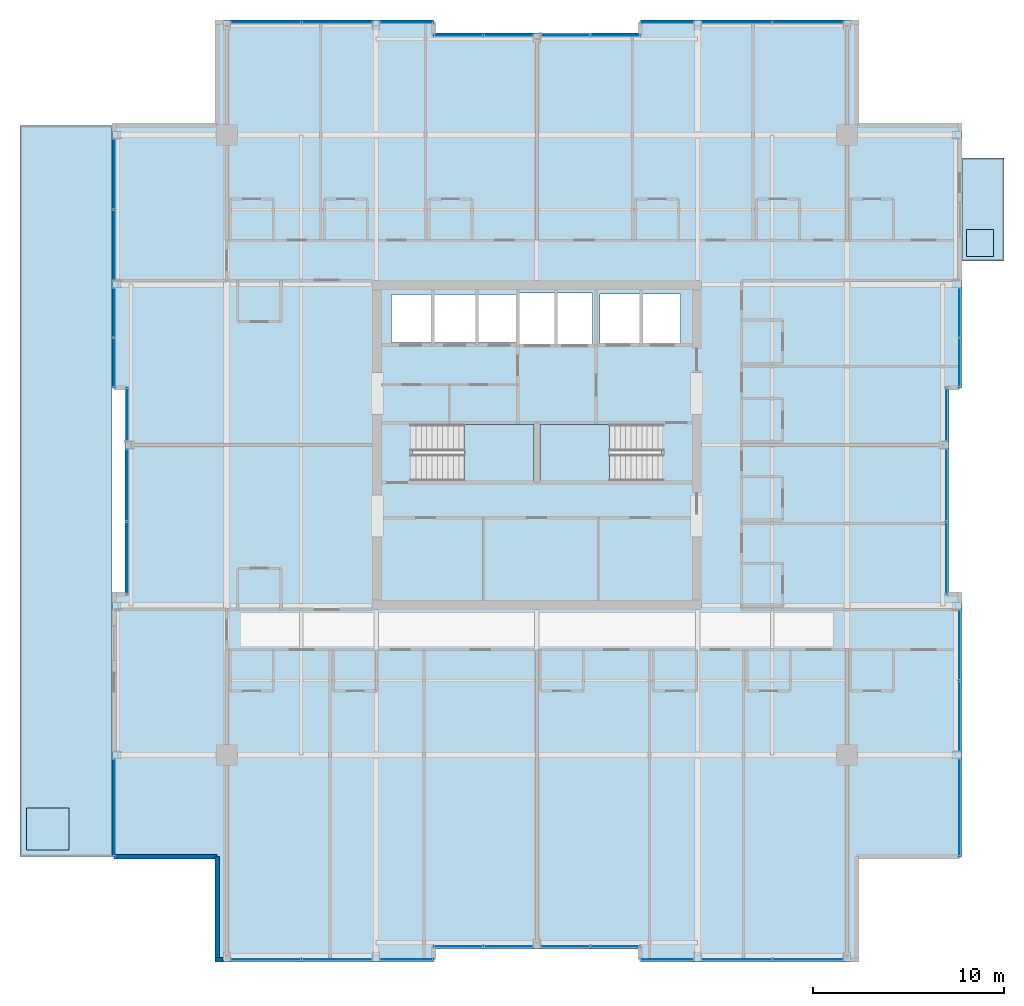
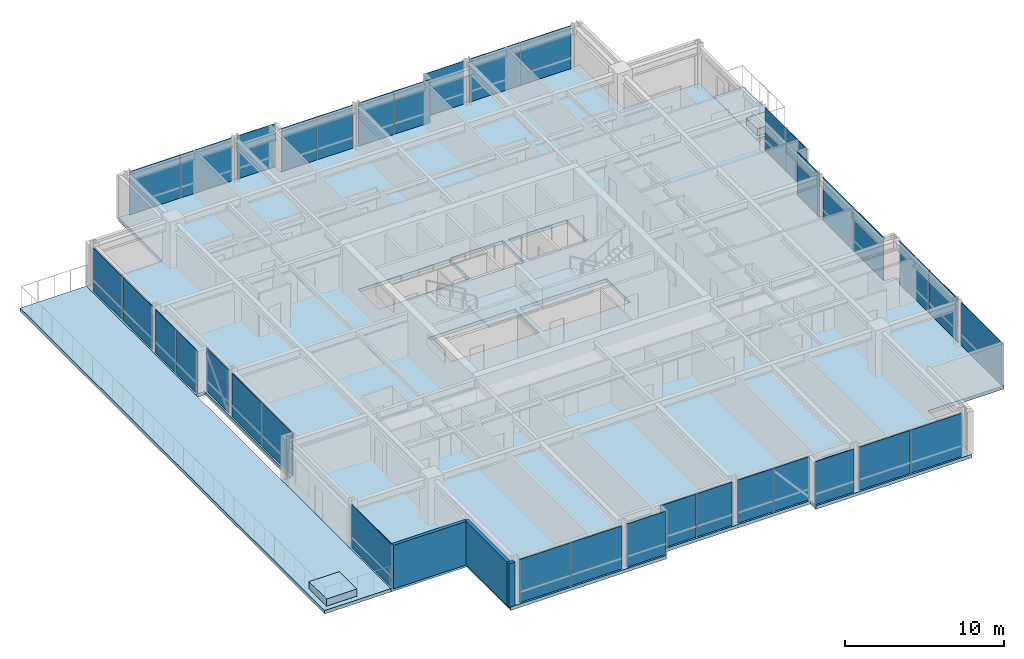
# One storey, part 24 of 32: 36 plates, 7 slabs, 3 walls, 24 elements without a shape of their own.
"""IFC4 building model written with IfcOpenShell, lengths in metres."""

import ifcopenshell
import ifcopenshell.guid

model = None  # the IFC model being written
_history = None  # IfcOwnerHistory: only IFC2X3 demands one
_inside = {}  # id of a spatial element -> (the spatial element, [elements in it])
_under = {}  # id of a project, library or spatial element -> (it, [spatial elements below it])
_declared = {}  # id of a project -> (the project, [libraries it declares])
_typed = {}  # id of a type object -> (the type object, [elements of that type])
_made_of = {}  # id of a material, layer set ... -> (it, [elements and type objects made of it])


def new_model(schema):
    """Start an empty IFC model of exactly this schema.

    Asked for "IFC4X3", IfcOpenShell would pick the latest addendum, in which some entities
    have other attributes; the version numbers below select the first issue.
    IFC2X3 requires an IfcOwnerHistory on every rooted entity: one is made here for all.
    """
    global model, _history
    if schema == "IFC4X3":
        model = ifcopenshell.file(schema_version=(4, 3, 0, 0))
    else:
        model = ifcopenshell.file(schema=schema)
    _inside.clear()
    _under.clear()
    _declared.clear()
    _typed.clear()
    _made_of.clear()
    _history = None
    if model.schema == "IFC2X3":
        org = make("IfcOrganization", Name="unknown")
        user = make(
            "IfcPersonAndOrganization",
            ThePerson=make("IfcPerson", FamilyName="unknown"),
            TheOrganization=org,
        )
        app = make(
            "IfcApplication",
            ApplicationDeveloper=org,
            Version="unknown",
            ApplicationFullName="unknown",
            ApplicationIdentifier="unknown",
        )
        _history = make(
            "IfcOwnerHistory",
            OwningUser=user,
            OwningApplication=app,
            ChangeAction="ADDED",
            CreationDate=0,
        )
    return model


def make(cls, **values):
    """One entity of the class cls with the attributes given. An attribute that is None is left unset."""
    return model.create_entity(
        cls, **{name: value for name, value in values.items() if value is not None}
    )


def rooted(cls, **values):
    """An entity with a GlobalId (a new one), such as an element, a storey or a relation."""
    return make(cls, GlobalId=ifcopenshell.guid.new(), OwnerHistory=_history, **values)


def si_unit(unit_type, name, prefix=None):
    """IfcSIUnit, for example si_unit("LENGTHUNIT", "METRE", prefix="MILLI")."""
    return make("IfcSIUnit", UnitType=unit_type, Prefix=prefix, Name=name)


def assignment(units):
    """IfcUnitAssignment: the units of a project."""
    return None if units is None else make("IfcUnitAssignment", Units=units)


def point(xyz):
    """IfcCartesianPoint."""
    return None if xyz is None else make("IfcCartesianPoint", Coordinates=xyz)


def direction(xyz):
    """IfcDirection."""
    return None if xyz is None else make("IfcDirection", DirectionRatios=xyz)


def frame(location, z_axis=None, x_axis=None):
    """IfcAxis2Placement3D, a coordinate frame: its origin and axes. An axis left out is left unset."""
    return make(
        "IfcAxis2Placement3D",
        Location=point(location),
        Axis=direction(z_axis),
        RefDirection=direction(x_axis),
    )


def frame_2d(location, x_axis=None):
    """IfcAxis2Placement2D, a coordinate frame in the plane: its origin and x axis."""
    return make(
        "IfcAxis2Placement2D", Location=point(location), RefDirection=direction(x_axis)
    )


def origin():
    """The frame at (0, 0, 0) with its axes left unset."""
    return frame((0.0, 0.0, 0.0))


def origin_2d():
    """The frame at (0, 0) in the plane with its x axis left unset."""
    return frame_2d((0.0, 0.0))


def place(relative_to, where):
    """IfcLocalPlacement: puts the frame where relative to a parent placement (None: the world)."""
    return make(
        "IfcLocalPlacement", PlacementRelTo=relative_to, RelativePlacement=where
    )


def context(
    kind, dimensions, precision=None, world=None, true_north=None, identifier=None
):
    """IfcGeometricRepresentationContext, for example the 3D "Model" context."""
    return make(
        "IfcGeometricRepresentationContext",
        ContextIdentifier=identifier,
        ContextType=kind,
        CoordinateSpaceDimension=dimensions,
        Precision=precision,
        WorldCoordinateSystem=world,
        TrueNorth=true_north,
    )


def subcontext(parent, identifier, kind, view, scale=None):
    """IfcGeometricRepresentationSubContext, for example "Body" below "Model"."""
    return make(
        "IfcGeometricRepresentationSubContext",
        ContextIdentifier=identifier,
        ContextType=kind,
        ParentContext=parent,
        TargetScale=scale,
        TargetView=view,
    )


def project(units=None, contexts=None):
    """IfcProject with its units and contexts."""
    return rooted(
        "IfcProject",
        Name="project",
        RepresentationContexts=contexts,
        UnitsInContext=assignment(units),
    )


def spatial(cls, under=None, at=None, **own):
    """A site, building, storey or space (cls), placed at a placement, below another one or the project."""
    s = rooted(cls, ObjectPlacement=at, **own)
    if under is not None:
        _under.setdefault(under.id(), (under, []))[1].append(s)
    return s


def polyline(points):
    """IfcPolyline through the points."""
    return make("IfcPolyline", Points=[point(p) for p in points])


def profile(cls, at=None, kind="AREA", **sizes):
    """A parametric profile (cls). Its sizes go by their IFC names, for example OverallWidth=200.0."""
    return make(cls, ProfileType=kind, Position=at, **sizes)


def rectangle(**sizes):
    """IfcRectangleProfileDef."""
    return profile("IfcRectangleProfileDef", **sizes)


def outline(outer, holes=None, kind="AREA"):
    """IfcArbitraryClosedProfileDef: a profile drawn as a closed curve; with holes, ...WithVoids."""
    if holes is None:
        return make("IfcArbitraryClosedProfileDef", ProfileType=kind, OuterCurve=outer)
    return make(
        "IfcArbitraryProfileDefWithVoids",
        ProfileType=kind,
        OuterCurve=outer,
        InnerCurves=holes,
    )


def extrude(swept, where, along, depth):
    """IfcExtrudedAreaSolid: the profile swept, set in the frame where, extruded along a direction by depth."""
    return make(
        "IfcExtrudedAreaSolid",
        SweptArea=swept,
        Position=where,
        ExtrudedDirection=direction(along),
        Depth=depth,
    )


def shape(context_of_items, identifier, shape_type, items):
    """IfcShapeRepresentation: the items that make up one representation, for example the "Body"."""
    return make(
        "IfcShapeRepresentation",
        ContextOfItems=context_of_items,
        RepresentationIdentifier=identifier,
        RepresentationType=shape_type,
        Items=items,
    )


def material(Name=None, Category=None):
    """IfcMaterial."""
    return make("IfcMaterial", Name=Name, Category=Category)


def layer(
    of_material, thickness, ventilated=None, Name=None, Category=None, Priority=None
):
    """IfcMaterialLayer: one layer of a wall or slab, of a material (None: an air gap)."""
    return make(
        "IfcMaterialLayer",
        Material=of_material,
        LayerThickness=thickness,
        IsVentilated=ventilated,
        Name=Name,
        Category=Category,
        Priority=Priority,
    )


def layer_set(layers, Name=None):
    """IfcMaterialLayerSet."""
    return make("IfcMaterialLayerSet", MaterialLayers=layers, LayerSetName=Name)


def made_of(thing, what):
    """Note that an element or type object is made of a material, layer set ...; save() writes the relation."""
    if what is not None:
        _made_of.setdefault(what.id(), (what, []))[1].append(thing)
    return thing


def type_object(cls, material=None, **own):
    """A type object (cls), such as IfcWallType, which elements share."""
    return made_of(rooted(cls, **own), material)


def element(
    cls,
    number,
    at=None,
    inside=None,
    cuts=None,
    type_object=None,
    material=None,
    context=None,
    identifier="Body",
    shape_type=None,
    held_by="IfcProductDefinitionShape",
    body=None,
    shapes=None,
    **own,
):
    """One element of the class cls, such as IfcWall. Its Tag is "e" and its number.

    at: its placement. inside: the storey or other place that contains it. cuts: it is an
    opening in that element (IfcRelVoidsElement). A single representation is given by context,
    identifier, shape_type and body (its items); several are given by shapes. held_by: the class
    of the entity that holds the representations. save() writes the other relations.
    """
    e = rooted(cls, Tag="e%d" % number, ObjectPlacement=at, **own)
    if body is not None:
        shapes = [shape(context, identifier, shape_type, body)]
    if shapes is not None:
        e.Representation = make(held_by, Representations=shapes)
    if inside is not None:
        _inside.setdefault(inside.id(), (inside, []))[1].append(e)
    if cuts is not None:
        rooted(
            "IfcRelVoidsElement", RelatingBuildingElement=cuts, RelatedOpeningElement=e
        )
    if type_object is not None:
        _typed.setdefault(type_object.id(), (type_object, []))[1].append(e)
    return made_of(e, material)


def aggregate(whole, parts):
    """IfcRelAggregates: a whole, such as a stair, and the parts it consists of."""
    return rooted("IfcRelAggregates", RelatingObject=whole, RelatedObjects=parts)


def save(model, path):
    """Write the relations noted so far, then the file.

    IfcRelAggregates (storeys below a building ...), IfcRelContainedInSpatialStructure (elements
    in a storey), IfcRelDefinesByType, IfcRelAssociatesMaterial and IfcRelDeclares: one each for
    every whole, place, type object, material and project.
    """
    for whole, parts in _under.values():
        aggregate(whole, parts)
    for where, things in _inside.values():
        rooted(
            "IfcRelContainedInSpatialStructure",
            RelatedElements=things,
            RelatingStructure=where,
        )
    for kind, things in _typed.values():
        rooted("IfcRelDefinesByType", RelatedObjects=things, RelatingType=kind)
    for what, things in _made_of.values():
        rooted("IfcRelAssociatesMaterial", RelatedObjects=things, RelatingMaterial=what)
    for by, libraries in _declared.values():
        rooted("IfcRelDeclares", RelatingContext=by, RelatedDefinitions=libraries)
    model.write(path)


model = new_model("IFC4")

# Units and contexts
model_context = context("Model", 3, precision=1e-05, world=origin(), true_north=direction((0.0, 1.0)))
body_context = subcontext(model_context, "Body", "Model", "MODEL_VIEW")
ifc_project = project(units=[si_unit("LENGTHUNIT", "METRE"), si_unit("AREAUNIT", "SQUARE_METRE"), si_unit("VOLUMEUNIT", "CUBIC_METRE"), si_unit("PLANEANGLEUNIT", "RADIAN"), si_unit("MASSUNIT", "GRAM", prefix="KILO")], contexts=[model_context])

# Site, building, storey
site_placement = place(None, origin())
site = spatial("IfcSite", under=ifc_project, at=site_placement, CompositionType="ELEMENT")
building_placement = place(site_placement, origin())
building = spatial("IfcBuilding", under=site, at=building_placement, Name="Drelvath Grand Hotel", CompositionType="ELEMENT")
storey_placement = place(building_placement, frame((0.0, 0.0, 205.10009765625)))
storey = spatial("IfcBuildingStorey", under=building, at=storey_placement, Name="L53", CompositionType="ELEMENT", Elevation=205.10009765625)

# Slabs
ifc_material_1 = material(Name="Concrete f'c 40 MPa", Category="concrete")
ifc_layer_1 = layer(ifc_material_1, 0.239990234375)
ifc_layer_set_1 = layer_set([ifc_layer_1], Name="Concrete f'c 40 MPa")
slab_type_1 = type_object("IfcSlabType", Name="Cantilevered Tree Balcony Slab 240", PredefinedType="FLOOR", material=ifc_layer_set_1)
slab_1_placement = place(storey_placement, frame((0.0, 0.0, -0.239990234375)))
element("IfcSlab", 1, at=slab_1_placement, inside=storey, type_object=slab_type_1, Name="L53 Cantilevered Tree Balcony Slab 1", PredefinedType="FLOOR", context=body_context, shape_type="SweptSolid", body=[
    extrude(outline(polyline([(22.199951171875, 36.60009765625), (24.39990234375, 36.60009765625), (24.39990234375, 42.0), (22.199951171875, 42.0), (22.199951171875, 36.60009765625)])), origin(), (0.0, 0.0, 1.0), 0.239990234375),
])
ifc_layer_2 = layer(ifc_material_1, 0.260009765625)
ifc_layer_set_2 = layer_set([ifc_layer_2], Name="Concrete f'c 40 MPa")
slab_type_2 = type_object("IfcSlabType", Name="Composite RC Floor Slab 260", PredefinedType="FLOOR", material=ifc_layer_set_2)
slab_2_placement = place(storey_placement, frame((0.0, 0.0, -0.260009765625)))
element("IfcSlab", 2, at=slab_2_placement, inside=storey, type_object=slab_type_2, Name="L53 Structural Floor Slab", PredefinedType="FLOOR", context=body_context, shape_type="SweptSolid", body=[
    extrude(outline(polyline([(-16.699951171875, 0.0), (-5.39990234375, 0.0), (-5.39990234375, 0.679931640625), (5.39990234375, 0.679931640625), (5.39990234375, 0.0), (16.699951171875, 0.0), (16.699951171875, 5.5), (22.199951171875, 5.5), (22.199951171875, 19.199951171875), (21.52001953125, 19.199951171875), (21.52001953125, 30.0), (22.199951171875, 30.0), (22.199951171875, 43.699951171875), (16.699951171875, 43.699951171875), (16.699951171875, 49.199951171875), (5.39990234375, 49.199951171875), (5.39990234375, 48.52001953125), (-5.39990234375, 48.52001953125), (-5.39990234375, 49.199951171875), (-16.699951171875, 49.199951171875), (-16.699951171875, 43.699951171875), (-22.199951171875, 43.699951171875), (-22.199951171875, 30.0), (-21.52001953125, 30.0), (-21.52001953125, 19.199951171875), (-22.199951171875, 19.199951171875), (-22.199951171875, 5.5), (-16.699951171875, 5.5), (-16.699951171875, 0.0)]), holes=[polyline([(-6.47998046875, 25.1201171875), (-6.47998046875, 28.080078125), (-0.14990234375, 28.080078125), (-0.14990234375, 25.1201171875), (-6.47998046875, 25.1201171875)]), polyline([(0.14990234375, 25.1201171875), (0.14990234375, 28.080078125), (6.47998046875, 28.080078125), (6.47998046875, 25.1201171875), (0.14990234375, 25.1201171875)]), polyline([(-7.60009765625, 32.35009765625), (-7.60009765625, 34.85009765625), (-1.02001953125, 34.85009765625), (-1.02001953125, 32.35009765625), (-7.60009765625, 32.35009765625)]), polyline([(-0.89990234375, 32.25), (-0.89990234375, 34.949951171875), (2.89990234375, 34.949951171875), (2.89990234375, 32.25), (-0.89990234375, 32.25)]), polyline([(3.300048828125, 32.300048828125), (3.300048828125, 34.89990234375), (7.5, 34.89990234375), (7.5, 32.300048828125), (3.300048828125, 32.300048828125)])]), origin(), (0.0, 0.0, 1.0), 0.260009765625),
])

# Stair, slab
ifc_material_2 = material(Name="Concrete C40/50", Category="concrete")
stair_type = type_object("IfcStairType", Name="Dogleg Exit Stair W1400-R163.6", PredefinedType="HALF_TURN_STAIR", material=ifc_material_2)
stair_1_placement = place(storey_placement, origin())
stair_1 = element("IfcStair", 3, at=stair_1_placement, inside=storey, type_object=stair_type, Name="L53 Core Exit Stair ST-1", PredefinedType="HALF_TURN_STAIR")
ifc_layer_3 = layer(ifc_material_2, 0.199951171875)
ifc_layer_set_3 = layer_set([ifc_layer_3], Name="Concrete C40/50")
slab_type_3 = type_object("IfcSlabType", Name="Concrete Stair Landing Slab 200", PredefinedType="LANDING", material=ifc_layer_set_3)
slab_3_placement = place(storey_placement, frame((0.0, 0.0, 1.599853515625)))
slab_3 = element("IfcSlab", 4, at=slab_3_placement, type_object=slab_type_3, Name="ST-1 landing 1", PredefinedType="LANDING", context=body_context, shape_type="SweptSolid", body=[
    extrude(outline(polyline([(-3.800048828125, 25.1201171875), (-0.14990234375, 25.1201171875), (-0.14990234375, 28.080078125), (-3.800048828125, 28.080078125), (-3.800048828125, 25.1201171875)])), origin(), (0.0, 0.0, 1.0), 0.199951171875),
])
aggregate(stair_1, [slab_3])

stair_2_placement = place(storey_placement, origin())
stair_2 = element("IfcStair", 5, at=stair_2_placement, inside=storey, type_object=stair_type, Name="L53 Core Exit Stair ST-2", PredefinedType="HALF_TURN_STAIR")
slab_4_placement = place(storey_placement, frame((0.0, 0.0, 1.599853515625)))
slab_4 = element("IfcSlab", 6, at=slab_4_placement, type_object=slab_type_3, Name="ST-2 landing 1", PredefinedType="LANDING", context=body_context, shape_type="SweptSolid", body=[
    extrude(outline(polyline([(3.800048828125, 28.080078125), (0.14990234375, 28.080078125), (0.14990234375, 25.1201171875), (3.800048828125, 25.1201171875), (3.800048828125, 28.080078125)])), origin(), (0.0, 0.0, 1.0), 0.199951171875),
])
aggregate(stair_2, [slab_4])

# Curtain wall, plate
ifc_material_3 = material(Name="Platinum-Mist Anodised Aluminium Frame", Category="aluminium")
ifc_layer_4 = layer(ifc_material_3, 0.199951171875)
ifc_layer_set_4 = layer_set([ifc_layer_4], Name="Platinum-Mist Anodised Aluminium Frame")
curtain_wall_type = type_object("IfcCurtainWallType", Name="Stick Curtain Wall CW-05 Platinum Mist High-Rise", PredefinedType="NOTDEFINED", material=ifc_layer_set_4)
curtain_wall_1_placement = place(storey_placement, origin())
curtain_wall_1 = element("IfcCurtainWall", 7, at=curtain_wall_1_placement, inside=storey, type_object=curtain_wall_type, Name="L53 CW-05 Curtain Wall CW05-L53-WS1", PredefinedType="NOTDEFINED")
ifc_material_4 = material(Name="Low-E Triple Silver High-Altitude Glass", Category="glass")
ifc_layer_5 = layer(ifc_material_4, 0.035888671875)
ifc_layer_set_5 = layer_set([ifc_layer_5], Name="Low-E Triple Silver High-Altitude Glass")
plate_type = type_object("IfcPlateType", Name="Curtain Wall Vision Panel CW-05 36mm", PredefinedType="CURTAIN_PANEL", material=ifc_layer_set_5)
plate_1_placement = place(storey_placement, frame((-22.080078125, 8.057373046875, 0.02001953125), z_axis=(0.0, 0.0, 1.0), x_axis=(0.0, 1.0, 0.0)))
plate_1 = element("IfcPlate", 8, at=plate_1_placement, type_object=plate_type, Name="CW05-L53-WS1 Glazed Panel 1", PredefinedType="CURTAIN_PANEL", context=body_context, shape_type="SweptSolid", body=[
    extrude(rectangle(XDim=5.07470703125, YDim=0.035888671875, at=origin_2d()), origin(), (0.0, 0.0, 1.0), 3.300048828125),
])
aggregate(curtain_wall_1, [plate_1])

# Curtain wall, plates
curtain_wall_2_placement = place(storey_placement, origin())
curtain_wall_2 = element("IfcCurtainWall", 9, at=curtain_wall_2_placement, inside=storey, type_object=curtain_wall_type, Name="L53 CW-05 Curtain Wall CW05-L53-WM1", PredefinedType="NOTDEFINED")
plate_2_placement = place(storey_placement, frame((-21.39990234375, 21.103759765625, 0.02001953125), z_axis=(0.0, 0.0, 1.0), x_axis=(0.0, 1.0, 0.0)))
plate_2 = element("IfcPlate", 10, at=plate_2_placement, type_object=plate_type, Name="CW05-L53-WM1 Glazed Panel 1", PredefinedType="CURTAIN_PANEL", context=body_context, shape_type="SweptSolid", body=[
    extrude(rectangle(XDim=3.767333984375, YDim=0.035888671875, at=origin_2d()), origin(), (0.0, 0.0, 1.0), 3.300048828125),
])
plate_3_placement = place(storey_placement, frame((-21.39990234375, 24.910888671875, 0.02001953125), z_axis=(0.0, 0.0, 1.0), x_axis=(0.0, 1.0, 0.0)))
plate_3 = element("IfcPlate", 11, at=plate_3_placement, type_object=plate_type, Name="CW05-L53-WM1 Glazed Panel 2", PredefinedType="CURTAIN_PANEL", context=body_context, shape_type="SweptSolid", body=[
    extrude(rectangle(XDim=3.767333984375, YDim=0.035888671875, at=origin_2d()), origin(), (0.0, 0.0, 1.0), 3.300048828125),
])
aggregate(curtain_wall_2, [plate_2, plate_3])

# Curtain wall, plate
curtain_wall_3_placement = place(storey_placement, origin())
curtain_wall_3 = element("IfcCurtainWall", 12, at=curtain_wall_3_placement, inside=storey, type_object=curtain_wall_type, Name="L53 CW-05 Curtain Wall CW05-L53-WM2", PredefinedType="NOTDEFINED")
plate_4_placement = place(storey_placement, frame((-21.39990234375, 28.592529296875, 0.02001953125), z_axis=(0.0, 0.0, 1.0), x_axis=(0.0, 1.0, 0.0)))
plate_4 = element("IfcPlate", 13, at=plate_4_placement, type_object=plate_type, Name="CW05-L53-WM2 Glazed Panel 1", PredefinedType="CURTAIN_PANEL", context=body_context, shape_type="SweptSolid", body=[
    extrude(rectangle(XDim=2.774658203125, YDim=0.035888671875, at=origin_2d()), origin(), (0.0, 0.0, 1.0), 3.300048828125),
])
aggregate(curtain_wall_3, [plate_4])

# Curtain wall, plates
curtain_wall_4_placement = place(storey_placement, origin())
curtain_wall_4 = element("IfcCurtainWall", 14, at=curtain_wall_4_placement, inside=storey, type_object=curtain_wall_type, Name="L53 CW-05 Curtain Wall CW05-L53-WN1", PredefinedType="NOTDEFINED")
plate_5_placement = place(storey_placement, frame((-22.080078125, 31.3037109375, 0.02001953125), z_axis=(0.0, 0.0, 1.0), x_axis=(0.0, 1.0, 0.0)))
plate_5 = element("IfcPlate", 15, at=plate_5_placement, type_object=plate_type, Name="CW05-L53-WN1 Glazed Panel 1", PredefinedType="CURTAIN_PANEL", context=body_context, shape_type="SweptSolid", body=[
    extrude(rectangle(XDim=2.5673828125, YDim=0.035888671875, at=origin_2d()), origin(), (0.0, 0.0, 1.0), 3.300048828125),
])
plate_6_placement = place(storey_placement, frame((-22.080078125, 33.9111328125, 0.02001953125), z_axis=(0.0, 0.0, 1.0), x_axis=(0.0, 1.0, 0.0)))
plate_6 = element("IfcPlate", 16, at=plate_6_placement, type_object=plate_type, Name="CW05-L53-WN1 Glazed Panel 2", PredefinedType="CURTAIN_PANEL", context=body_context, shape_type="SweptSolid", body=[
    extrude(rectangle(XDim=2.5673828125, YDim=0.035888671875, at=origin_2d()), origin(), (0.0, 0.0, 1.0), 3.300048828125),
])
aggregate(curtain_wall_4, [plate_5, plate_6])

curtain_wall_5_placement = place(storey_placement, origin())
curtain_wall_5 = element("IfcCurtainWall", 17, at=curtain_wall_5_placement, inside=storey, type_object=curtain_wall_type, Name="L53 CW-05 Curtain Wall CW05-L53-WN2", PredefinedType="NOTDEFINED")
plate_7_placement = place(storey_placement, frame((-22.080078125, 37.442626953125, 0.02001953125), z_axis=(0.0, 0.0, 1.0), x_axis=(0.0, 1.0, 0.0)))
plate_7 = element("IfcPlate", 18, at=plate_7_placement, type_object=plate_type, Name="CW05-L53-WN2 Glazed Panel 1", PredefinedType="CURTAIN_PANEL", context=body_context, shape_type="SweptSolid", body=[
    extrude(rectangle(XDim=3.6748046875, YDim=0.035888671875, at=origin_2d()), origin(), (0.0, 0.0, 1.0), 3.300048828125),
])
plate_8_placement = place(storey_placement, frame((-22.080078125, 41.157470703125, 0.02001953125), z_axis=(0.0, 0.0, 1.0), x_axis=(0.0, 1.0, 0.0)))
plate_8 = element("IfcPlate", 19, at=plate_8_placement, type_object=plate_type, Name="CW05-L53-WN2 Glazed Panel 2", PredefinedType="CURTAIN_PANEL", context=body_context, shape_type="SweptSolid", body=[
    extrude(rectangle(XDim=3.6748046875, YDim=0.035888671875, at=origin_2d()), origin(), (0.0, 0.0, 1.0), 3.300048828125),
])
aggregate(curtain_wall_5, [plate_7, plate_8])

curtain_wall_6_placement = place(storey_placement, origin())
curtain_wall_6 = element("IfcCurtainWall", 20, at=curtain_wall_6_placement, inside=storey, type_object=curtain_wall_type, Name="L53 CW-05 Curtain Wall CW05-L53-EN1", PredefinedType="NOTDEFINED")
plate_9_placement = place(storey_placement, frame((22.080078125, 33.9111328125, 0.02001953125), z_axis=(0.0, 0.0, 1.0), x_axis=(0.0, -1.0, 0.0)))
plate_9 = element("IfcPlate", 21, at=plate_9_placement, type_object=plate_type, Name="CW05-L53-EN1 Glazed Panel 1", PredefinedType="CURTAIN_PANEL", context=body_context, shape_type="SweptSolid", body=[
    extrude(rectangle(XDim=2.5673828125, YDim=0.035888671875, at=origin_2d()), origin(), (0.0, 0.0, 1.0), 3.300048828125),
])
plate_10_placement = place(storey_placement, frame((22.080078125, 31.3037109375, 0.02001953125), z_axis=(0.0, 0.0, 1.0), x_axis=(0.0, -1.0, 0.0)))
plate_10 = element("IfcPlate", 22, at=plate_10_placement, type_object=plate_type, Name="CW05-L53-EN1 Glazed Panel 2", PredefinedType="CURTAIN_PANEL", context=body_context, shape_type="SweptSolid", body=[
    extrude(rectangle(XDim=2.5673828125, YDim=0.035888671875, at=origin_2d()), origin(), (0.0, 0.0, 1.0), 3.300048828125),
])
aggregate(curtain_wall_6, [plate_9, plate_10])

curtain_wall_7_placement = place(storey_placement, origin())
curtain_wall_7 = element("IfcCurtainWall", 23, at=curtain_wall_7_placement, inside=storey, type_object=curtain_wall_type, Name="L53 CW-05 Curtain Wall CW05-L53-EM1", PredefinedType="NOTDEFINED")
plate_11_placement = place(storey_placement, frame((21.39990234375, 24.910888671875, 0.02001953125), z_axis=(0.0, 0.0, 1.0), x_axis=(0.0, -1.0, 0.0)))
plate_11 = element("IfcPlate", 24, at=plate_11_placement, type_object=plate_type, Name="CW05-L53-EM1 Glazed Panel 1", PredefinedType="CURTAIN_PANEL", context=body_context, shape_type="SweptSolid", body=[
    extrude(rectangle(XDim=3.767333984375, YDim=0.035888671875, at=origin_2d()), origin(), (0.0, 0.0, 1.0), 3.300048828125),
])
plate_12_placement = place(storey_placement, frame((21.39990234375, 21.103759765625, 0.02001953125), z_axis=(0.0, 0.0, 1.0), x_axis=(0.0, -1.0, 0.0)))
plate_12 = element("IfcPlate", 25, at=plate_12_placement, type_object=plate_type, Name="CW05-L53-EM1 Glazed Panel 2", PredefinedType="CURTAIN_PANEL", context=body_context, shape_type="SweptSolid", body=[
    extrude(rectangle(XDim=3.767333984375, YDim=0.035888671875, at=origin_2d()), origin(), (0.0, 0.0, 1.0), 3.300048828125),
])
aggregate(curtain_wall_7, [plate_11, plate_12])

# Curtain wall, plate
curtain_wall_8_placement = place(storey_placement, origin())
curtain_wall_8 = element("IfcCurtainWall", 26, at=curtain_wall_8_placement, inside=storey, type_object=curtain_wall_type, Name="L53 CW-05 Curtain Wall CW05-L53-EM2", PredefinedType="NOTDEFINED")
plate_13_placement = place(storey_placement, frame((21.39990234375, 28.592529296875, 0.02001953125), z_axis=(0.0, 0.0, 1.0), x_axis=(0.0, -1.0, 0.0)))
plate_13 = element("IfcPlate", 27, at=plate_13_placement, type_object=plate_type, Name="CW05-L53-EM2 Glazed Panel 1", PredefinedType="CURTAIN_PANEL", context=body_context, shape_type="SweptSolid", body=[
    extrude(rectangle(XDim=2.774658203125, YDim=0.035888671875, at=origin_2d()), origin(), (0.0, 0.0, 1.0), 3.300048828125),
])
aggregate(curtain_wall_8, [plate_13])

curtain_wall_9_placement = place(storey_placement, origin())
curtain_wall_9 = element("IfcCurtainWall", 28, at=curtain_wall_9_placement, inside=storey, type_object=curtain_wall_type, Name="L53 CW-05 Curtain Wall CW05-L53-ES1", PredefinedType="NOTDEFINED")
plate_14_placement = place(storey_placement, frame((22.080078125, 8.057373046875, 0.02001953125), z_axis=(0.0, 0.0, 1.0), x_axis=(0.0, -1.0, 0.0)))
plate_14 = element("IfcPlate", 29, at=plate_14_placement, type_object=plate_type, Name="CW05-L53-ES1 Glazed Panel 1", PredefinedType="CURTAIN_PANEL", context=body_context, shape_type="SweptSolid", body=[
    extrude(rectangle(XDim=5.07470703125, YDim=0.035888671875, at=origin_2d()), origin(), (0.0, 0.0, 1.0), 3.300048828125),
])
aggregate(curtain_wall_9, [plate_14])

# Curtain wall, plates
curtain_wall_10_placement = place(storey_placement, origin())
curtain_wall_10 = element("IfcCurtainWall", 30, at=curtain_wall_10_placement, inside=storey, type_object=curtain_wall_type, Name="L53 CW-05 Curtain Wall CW05-L53-ES2", PredefinedType="NOTDEFINED")
plate_15_placement = place(storey_placement, frame((22.080078125, 16.557373046875, 0.02001953125), z_axis=(0.0, 0.0, 1.0), x_axis=(0.0, -1.0, 0.0)))
plate_15 = element("IfcPlate", 31, at=plate_15_placement, type_object=plate_type, Name="CW05-L53-ES2 Glazed Panel 1", PredefinedType="CURTAIN_PANEL", context=body_context, shape_type="SweptSolid", body=[
    extrude(rectangle(XDim=3.6748046875, YDim=0.035888671875, at=origin_2d()), origin(), (0.0, 0.0, 1.0), 3.300048828125),
])
plate_16_placement = place(storey_placement, frame((22.080078125, 12.842529296875, 0.02001953125), z_axis=(0.0, 0.0, 1.0), x_axis=(0.0, -1.0, 0.0)))
plate_16 = element("IfcPlate", 32, at=plate_16_placement, type_object=plate_type, Name="CW05-L53-ES2 Glazed Panel 2", PredefinedType="CURTAIN_PANEL", context=body_context, shape_type="SweptSolid", body=[
    extrude(rectangle(XDim=3.6748046875, YDim=0.035888671875, at=origin_2d()), origin(), (0.0, 0.0, 1.0), 3.300048828125),
])
aggregate(curtain_wall_10, [plate_15, plate_16])

curtain_wall_11_placement = place(storey_placement, origin())
curtain_wall_11 = element("IfcCurtainWall", 33, at=curtain_wall_11_placement, inside=storey, type_object=curtain_wall_type, Name="L53 CW-05 Curtain Wall CW05-L53-NW2", PredefinedType="NOTDEFINED")
plate_17_placement = place(storey_placement, frame((-14.157470703125, 49.080078125, 0.02001953125), z_axis=(0.0, 0.0, 1.0), x_axis=(1.0, 0.0, 0.0)))
plate_17 = element("IfcPlate", 34, at=plate_17_placement, type_object=plate_type, Name="CW05-L53-NW2 Glazed Panel 1", PredefinedType="CURTAIN_PANEL", context=body_context, shape_type="SweptSolid", body=[
    extrude(rectangle(XDim=3.6748046875, YDim=0.035888671875, at=origin_2d()), origin(), (0.0, 0.0, 1.0), 3.300048828125),
])
plate_18_placement = place(storey_placement, frame((-10.442626953125, 49.080078125, 0.02001953125), z_axis=(0.0, 0.0, 1.0), x_axis=(1.0, 0.0, 0.0)))
plate_18 = element("IfcPlate", 35, at=plate_18_placement, type_object=plate_type, Name="CW05-L53-NW2 Glazed Panel 2", PredefinedType="CURTAIN_PANEL", context=body_context, shape_type="SweptSolid", body=[
    extrude(rectangle(XDim=3.6748046875, YDim=0.035888671875, at=origin_2d()), origin(), (0.0, 0.0, 1.0), 3.300048828125),
])
aggregate(curtain_wall_11, [plate_17, plate_18])

# Curtain wall, plate
curtain_wall_12_placement = place(storey_placement, origin())
curtain_wall_12 = element("IfcCurtainWall", 36, at=curtain_wall_12_placement, inside=storey, type_object=curtain_wall_type, Name="L53 CW-05 Curtain Wall CW05-L53-NW3", PredefinedType="NOTDEFINED")
plate_19_placement = place(storey_placement, frame((-6.807373046875, 49.080078125, 0.02001953125), z_axis=(0.0, 0.0, 1.0), x_axis=(1.0, 0.0, 0.0)))
plate_19 = element("IfcPlate", 37, at=plate_19_placement, type_object=plate_type, Name="CW05-L53-NW3 Glazed Panel 1", PredefinedType="CURTAIN_PANEL", context=body_context, shape_type="SweptSolid", body=[
    extrude(rectangle(XDim=2.774658203125, YDim=0.035888671875, at=origin_2d()), origin(), (0.0, 0.0, 1.0), 3.300048828125),
])
aggregate(curtain_wall_12, [plate_19])

# Curtain wall, plates
curtain_wall_13_placement = place(storey_placement, origin())
curtain_wall_13 = element("IfcCurtainWall", 38, at=curtain_wall_13_placement, inside=storey, type_object=curtain_wall_type, Name="L53 CW-05 Curtain Wall CW05-L53-NM1", PredefinedType="NOTDEFINED")
plate_20_placement = place(storey_placement, frame((-4.096435546875, 48.39990234375, 0.02001953125), z_axis=(0.0, 0.0, 1.0), x_axis=(1.0, 0.0, 0.0)))
plate_20 = element("IfcPlate", 39, at=plate_20_placement, type_object=plate_type, Name="CW05-L53-NM1 Glazed Panel 1", PredefinedType="CURTAIN_PANEL", context=body_context, shape_type="SweptSolid", body=[
    extrude(rectangle(XDim=2.5673828125, YDim=0.035888671875, at=origin_2d()), origin(), (0.0, 0.0, 1.0), 3.300048828125),
])
plate_21_placement = place(storey_placement, frame((-1.489013671875, 48.39990234375, 0.02001953125), z_axis=(0.0, 0.0, 1.0), x_axis=(1.0, 0.0, 0.0)))
plate_21 = element("IfcPlate", 40, at=plate_21_placement, type_object=plate_type, Name="CW05-L53-NM1 Glazed Panel 2", PredefinedType="CURTAIN_PANEL", context=body_context, shape_type="SweptSolid", body=[
    extrude(rectangle(XDim=2.5673828125, YDim=0.035888671875, at=origin_2d()), origin(), (0.0, 0.0, 1.0), 3.300048828125),
])
aggregate(curtain_wall_13, [plate_20, plate_21])

curtain_wall_14_placement = place(storey_placement, origin())
curtain_wall_14 = element("IfcCurtainWall", 41, at=curtain_wall_14_placement, inside=storey, type_object=curtain_wall_type, Name="L53 CW-05 Curtain Wall CW05-L53-NM2", PredefinedType="NOTDEFINED")
plate_22_placement = place(storey_placement, frame((1.489013671875, 48.39990234375, 0.02001953125), z_axis=(0.0, 0.0, 1.0), x_axis=(1.0, 0.0, 0.0)))
plate_22 = element("IfcPlate", 42, at=plate_22_placement, type_object=plate_type, Name="CW05-L53-NM2 Glazed Panel 1", PredefinedType="CURTAIN_PANEL", context=body_context, shape_type="SweptSolid", body=[
    extrude(rectangle(XDim=2.5673828125, YDim=0.035888671875, at=origin_2d()), origin(), (0.0, 0.0, 1.0), 3.300048828125),
])
plate_23_placement = place(storey_placement, frame((4.096435546875, 48.39990234375, 0.02001953125), z_axis=(0.0, 0.0, 1.0), x_axis=(1.0, 0.0, 0.0)))
plate_23 = element("IfcPlate", 43, at=plate_23_placement, type_object=plate_type, Name="CW05-L53-NM2 Glazed Panel 2", PredefinedType="CURTAIN_PANEL", context=body_context, shape_type="SweptSolid", body=[
    extrude(rectangle(XDim=2.5673828125, YDim=0.035888671875, at=origin_2d()), origin(), (0.0, 0.0, 1.0), 3.300048828125),
])
aggregate(curtain_wall_14, [plate_22, plate_23])

# Curtain wall, plate
curtain_wall_15_placement = place(storey_placement, origin())
curtain_wall_15 = element("IfcCurtainWall", 44, at=curtain_wall_15_placement, inside=storey, type_object=curtain_wall_type, Name="L53 CW-05 Curtain Wall CW05-L53-NE1", PredefinedType="NOTDEFINED")
plate_24_placement = place(storey_placement, frame((6.807373046875, 49.080078125, 0.02001953125), z_axis=(0.0, 0.0, 1.0), x_axis=(1.0, 0.0, 0.0)))
plate_24 = element("IfcPlate", 45, at=plate_24_placement, type_object=plate_type, Name="CW05-L53-NE1 Glazed Panel 1", PredefinedType="CURTAIN_PANEL", context=body_context, shape_type="SweptSolid", body=[
    extrude(rectangle(XDim=2.774658203125, YDim=0.035888671875, at=origin_2d()), origin(), (0.0, 0.0, 1.0), 3.300048828125),
])
aggregate(curtain_wall_15, [plate_24])

# Curtain wall, plates
curtain_wall_16_placement = place(storey_placement, origin())
curtain_wall_16 = element("IfcCurtainWall", 46, at=curtain_wall_16_placement, inside=storey, type_object=curtain_wall_type, Name="L53 CW-05 Curtain Wall CW05-L53-NE2", PredefinedType="NOTDEFINED")
plate_25_placement = place(storey_placement, frame((10.442626953125, 49.080078125, 0.02001953125), z_axis=(0.0, 0.0, 1.0), x_axis=(1.0, 0.0, 0.0)))
plate_25 = element("IfcPlate", 47, at=plate_25_placement, type_object=plate_type, Name="CW05-L53-NE2 Glazed Panel 1", PredefinedType="CURTAIN_PANEL", context=body_context, shape_type="SweptSolid", body=[
    extrude(rectangle(XDim=3.6748046875, YDim=0.035888671875, at=origin_2d()), origin(), (0.0, 0.0, 1.0), 3.300048828125),
])
plate_26_placement = place(storey_placement, frame((14.157470703125, 49.080078125, 0.02001953125), z_axis=(0.0, 0.0, 1.0), x_axis=(1.0, 0.0, 0.0)))
plate_26 = element("IfcPlate", 48, at=plate_26_placement, type_object=plate_type, Name="CW05-L53-NE2 Glazed Panel 2", PredefinedType="CURTAIN_PANEL", context=body_context, shape_type="SweptSolid", body=[
    extrude(rectangle(XDim=3.6748046875, YDim=0.035888671875, at=origin_2d()), origin(), (0.0, 0.0, 1.0), 3.300048828125),
])
aggregate(curtain_wall_16, [plate_25, plate_26])

# Curtain wall, plate
curtain_wall_17_placement = place(storey_placement, origin())
curtain_wall_17 = element("IfcCurtainWall", 49, at=curtain_wall_17_placement, inside=storey, type_object=curtain_wall_type, Name="L53 CW-05 Curtain Wall CW05-L53-SE1", PredefinedType="NOTDEFINED")
plate_27_placement = place(storey_placement, frame((6.807373046875, 0.1201171875, 0.02001953125), z_axis=(0.0, 0.0, 1.0), x_axis=(-1.0, 0.0, 0.0)))
plate_27 = element("IfcPlate", 50, at=plate_27_placement, type_object=plate_type, Name="CW05-L53-SE1 Glazed Panel 1", PredefinedType="CURTAIN_PANEL", context=body_context, shape_type="SweptSolid", body=[
    extrude(rectangle(XDim=2.774658203125, YDim=0.035888671875, at=origin_2d()), origin(), (0.0, 0.0, 1.0), 3.300048828125),
])
aggregate(curtain_wall_17, [plate_27])

# Curtain wall, plates
curtain_wall_18_placement = place(storey_placement, origin())
curtain_wall_18 = element("IfcCurtainWall", 51, at=curtain_wall_18_placement, inside=storey, type_object=curtain_wall_type, Name="L53 CW-05 Curtain Wall CW05-L53-SE2", PredefinedType="NOTDEFINED")
plate_28_placement = place(storey_placement, frame((14.157470703125, 0.1201171875, 0.02001953125), z_axis=(0.0, 0.0, 1.0), x_axis=(-1.0, 0.0, 0.0)))
plate_28 = element("IfcPlate", 52, at=plate_28_placement, type_object=plate_type, Name="CW05-L53-SE2 Glazed Panel 1", PredefinedType="CURTAIN_PANEL", context=body_context, shape_type="SweptSolid", body=[
    extrude(rectangle(XDim=3.6748046875, YDim=0.035888671875, at=origin_2d()), origin(), (0.0, 0.0, 1.0), 3.300048828125),
])
plate_29_placement = place(storey_placement, frame((10.442626953125, 0.1201171875, 0.02001953125), z_axis=(0.0, 0.0, 1.0), x_axis=(-1.0, 0.0, 0.0)))
plate_29 = element("IfcPlate", 53, at=plate_29_placement, type_object=plate_type, Name="CW05-L53-SE2 Glazed Panel 2", PredefinedType="CURTAIN_PANEL", context=body_context, shape_type="SweptSolid", body=[
    extrude(rectangle(XDim=3.6748046875, YDim=0.035888671875, at=origin_2d()), origin(), (0.0, 0.0, 1.0), 3.300048828125),
])
aggregate(curtain_wall_18, [plate_28, plate_29])

curtain_wall_19_placement = place(storey_placement, origin())
curtain_wall_19 = element("IfcCurtainWall", 54, at=curtain_wall_19_placement, inside=storey, type_object=curtain_wall_type, Name="L53 CW-05 Curtain Wall CW05-L53-SM1", PredefinedType="NOTDEFINED")
plate_30_placement = place(storey_placement, frame((-1.489013671875, 0.800048828125, 0.02001953125), z_axis=(0.0, 0.0, 1.0), x_axis=(-1.0, 0.0, 0.0)))
plate_30 = element("IfcPlate", 55, at=plate_30_placement, type_object=plate_type, Name="CW05-L53-SM1 Glazed Panel 1", PredefinedType="CURTAIN_PANEL", context=body_context, shape_type="SweptSolid", body=[
    extrude(rectangle(XDim=2.5673828125, YDim=0.035888671875, at=origin_2d()), origin(), (0.0, 0.0, 1.0), 3.300048828125),
])
plate_31_placement = place(storey_placement, frame((-4.096435546875, 0.800048828125, 0.02001953125), z_axis=(0.0, 0.0, 1.0), x_axis=(-1.0, 0.0, 0.0)))
plate_31 = element("IfcPlate", 56, at=plate_31_placement, type_object=plate_type, Name="CW05-L53-SM1 Glazed Panel 2", PredefinedType="CURTAIN_PANEL", context=body_context, shape_type="SweptSolid", body=[
    extrude(rectangle(XDim=2.5673828125, YDim=0.035888671875, at=origin_2d()), origin(), (0.0, 0.0, 1.0), 3.300048828125),
])
aggregate(curtain_wall_19, [plate_30, plate_31])

curtain_wall_20_placement = place(storey_placement, origin())
curtain_wall_20 = element("IfcCurtainWall", 57, at=curtain_wall_20_placement, inside=storey, type_object=curtain_wall_type, Name="L53 CW-05 Curtain Wall CW05-L53-SM2", PredefinedType="NOTDEFINED")
plate_32_placement = place(storey_placement, frame((4.096435546875, 0.800048828125, 0.02001953125), z_axis=(0.0, 0.0, 1.0), x_axis=(-1.0, 0.0, 0.0)))
plate_32 = element("IfcPlate", 58, at=plate_32_placement, type_object=plate_type, Name="CW05-L53-SM2 Glazed Panel 1", PredefinedType="CURTAIN_PANEL", context=body_context, shape_type="SweptSolid", body=[
    extrude(rectangle(XDim=2.5673828125, YDim=0.035888671875, at=origin_2d()), origin(), (0.0, 0.0, 1.0), 3.300048828125),
])
plate_33_placement = place(storey_placement, frame((1.489013671875, 0.800048828125, 0.02001953125), z_axis=(0.0, 0.0, 1.0), x_axis=(-1.0, 0.0, 0.0)))
plate_33 = element("IfcPlate", 59, at=plate_33_placement, type_object=plate_type, Name="CW05-L53-SM2 Glazed Panel 2", PredefinedType="CURTAIN_PANEL", context=body_context, shape_type="SweptSolid", body=[
    extrude(rectangle(XDim=2.5673828125, YDim=0.035888671875, at=origin_2d()), origin(), (0.0, 0.0, 1.0), 3.300048828125),
])
aggregate(curtain_wall_20, [plate_32, plate_33])

curtain_wall_21_placement = place(storey_placement, origin())
curtain_wall_21 = element("IfcCurtainWall", 60, at=curtain_wall_21_placement, inside=storey, type_object=curtain_wall_type, Name="L53 CW-05 Curtain Wall CW05-L53-SW2", PredefinedType="NOTDEFINED")
plate_34_placement = place(storey_placement, frame((-10.442626953125, 0.1201171875, 0.02001953125), z_axis=(0.0, 0.0, 1.0), x_axis=(-1.0, 0.0, 0.0)))
plate_34 = element("IfcPlate", 61, at=plate_34_placement, type_object=plate_type, Name="CW05-L53-SW2 Glazed Panel 1", PredefinedType="CURTAIN_PANEL", context=body_context, shape_type="SweptSolid", body=[
    extrude(rectangle(XDim=3.6748046875, YDim=0.035888671875, at=origin_2d()), origin(), (0.0, 0.0, 1.0), 3.300048828125),
])
plate_35_placement = place(storey_placement, frame((-14.157470703125, 0.1201171875, 0.02001953125), z_axis=(0.0, 0.0, 1.0), x_axis=(-1.0, 0.0, 0.0)))
plate_35 = element("IfcPlate", 62, at=plate_35_placement, type_object=plate_type, Name="CW05-L53-SW2 Glazed Panel 2", PredefinedType="CURTAIN_PANEL", context=body_context, shape_type="SweptSolid", body=[
    extrude(rectangle(XDim=3.6748046875, YDim=0.035888671875, at=origin_2d()), origin(), (0.0, 0.0, 1.0), 3.300048828125),
])
aggregate(curtain_wall_21, [plate_34, plate_35])

# Curtain wall, plate
curtain_wall_22_placement = place(storey_placement, origin())
curtain_wall_22 = element("IfcCurtainWall", 63, at=curtain_wall_22_placement, inside=storey, type_object=curtain_wall_type, Name="L53 CW-05 Curtain Wall CW05-L53-SW3", PredefinedType="NOTDEFINED")
plate_36_placement = place(storey_placement, frame((-6.807373046875, 0.1201171875, 0.02001953125), z_axis=(0.0, 0.0, 1.0), x_axis=(-1.0, 0.0, 0.0)))
plate_36 = element("IfcPlate", 64, at=plate_36_placement, type_object=plate_type, Name="CW05-L53-SW3 Glazed Panel 1", PredefinedType="CURTAIN_PANEL", context=body_context, shape_type="SweptSolid", body=[
    extrude(rectangle(XDim=2.774658203125, YDim=0.035888671875, at=origin_2d()), origin(), (0.0, 0.0, 1.0), 3.300048828125),
])
aggregate(curtain_wall_22, [plate_36])

# Slabs
ifc_layer_6 = layer(ifc_material_1, 0.260009765625)
ifc_layer_set_6 = layer_set([ifc_layer_6], Name="Concrete f'c 40 MPa")
slab_type_4 = type_object("IfcSlabType", Name="Planted Terrace Structural Slab 260", PredefinedType="FLOOR", material=ifc_layer_set_6)
slab_5_placement = place(storey_placement, frame((0.0, 0.0, -0.260009765625)))
element("IfcSlab", 65, at=slab_5_placement, inside=storey, type_object=slab_type_4, Name="L53 Setback Roof Garden Terrace Slab 1", PredefinedType="FLOOR", context=body_context, shape_type="SweptSolid", body=[
    extrude(outline(polyline([(-27.0, 5.5), (-22.199951171875, 5.5), (-22.199951171875, 43.699951171875), (-27.0, 43.699951171875), (-27.0, 5.5)])), origin(), (0.0, 0.0, 1.0), 0.260009765625),
])
ifc_layer_7 = layer(ifc_material_1, 0.550048828125)
ifc_layer_set_7 = layer_set([ifc_layer_7], Name="Concrete f'c 40 MPa")
slab_type_5 = type_object("IfcSlabType", Name="Structural Tree Planter Box 550", PredefinedType="USERDEFINED", material=ifc_layer_set_7)
slab_6_placement = place(storey_placement, origin())
element("IfcSlab", 66, at=slab_6_placement, inside=storey, type_object=slab_type_5, Name="L53 Setback Terrace Tree Planter 1", ObjectType="PLANTER", PredefinedType="USERDEFINED", context=body_context, shape_type="SweptSolid", body=[
    extrude(outline(polyline([(-26.64990234375, 5.85009765625), (-24.449951171875, 5.85009765625), (-24.449951171875, 8.050048828125), (-26.64990234375, 8.050048828125), (-26.64990234375, 5.85009765625)])), origin(), (0.0, 0.0, 1.0), 0.5498046875),
])
slab_7_placement = place(storey_placement, origin())
element("IfcSlab", 67, at=slab_7_placement, inside=storey, type_object=slab_type_5, Name="L53 Tree Balcony Structural Planter 1", ObjectType="PLANTER", PredefinedType="USERDEFINED", context=body_context, shape_type="SweptSolid", body=[
    extrude(outline(polyline([(22.449951171875, 36.85009765625), (23.85009765625, 36.85009765625), (23.85009765625, 38.25), (22.449951171875, 38.25), (22.449951171875, 36.85009765625)])), origin(), (0.0, 0.0, 1.0), 0.5498046875),
])

# Walls
ifc_material_5 = material(Name="Pale-Metal Insulated Aluminium Spandrel Assembly", Category="aluminium")
ifc_layer_8 = layer(ifc_material_5, 0.239990234375)
ifc_layer_set_8 = layer_set([ifc_layer_8], Name="Pale-Metal Insulated Aluminium Spandrel Assembly")
wall_type = type_object("IfcWallType", Name="Tower Insulated Metal Spandrel Closure Wall 240", PredefinedType="STANDARD", material=ifc_layer_set_8)
wall_1_placement = place(storey_placement, frame((-16.38525390625, 0.1201171875, 0.0), z_axis=(0.0, 0.0, 1.0), x_axis=(-1.0, 0.0, 0.0)))
element("IfcWall", 68, at=wall_1_placement, inside=storey, type_object=wall_type, Name="L53 Corner Pier Spandrel Wall SW1", PredefinedType="STANDARD", context=body_context, shape_type="SweptSolid", body=[
    extrude(rectangle(XDim=0.434814453125, YDim=0.239990234375, at=frame_2d((0.21728515625, 0.0))), origin(), (0.0, 0.0, 1.0), 3.33984375),
])
wall_2_placement = place(storey_placement, frame((-16.699951171875, 0.239990234375, 0.0), z_axis=(0.0, 0.0, 1.0), x_axis=(0.0, 1.0, 0.0)))
element("IfcWall", 69, at=wall_2_placement, inside=storey, type_object=wall_type, Name="L53 Notched Corner Return Spandrel Wall CSW1", PredefinedType="STANDARD", context=body_context, shape_type="SweptSolid", body=[
    extrude(rectangle(XDim=5.260009765625, YDim=0.239990234375, at=frame_2d((2.6298828125, 0.0))), origin(), (0.0, 0.0, 1.0), 3.33984375),
])
wall_3_placement = place(storey_placement, frame((-16.699951171875, 5.5, 0.0), z_axis=(0.0, 0.0, 1.0), x_axis=(-1.0, 0.0, 0.0)))
element("IfcWall", 70, at=wall_3_placement, inside=storey, type_object=wall_type, Name="L53 Notched Corner Return Spandrel Wall CSW2", PredefinedType="STANDARD", context=body_context, shape_type="SweptSolid", body=[
    extrude(rectangle(XDim=5.380126953125, YDim=0.239990234375, at=frame_2d((2.68994140625, 0.0))), origin(), (0.0, 0.0, 1.0), 3.33984375),
])

save(model, "model.ifc")
